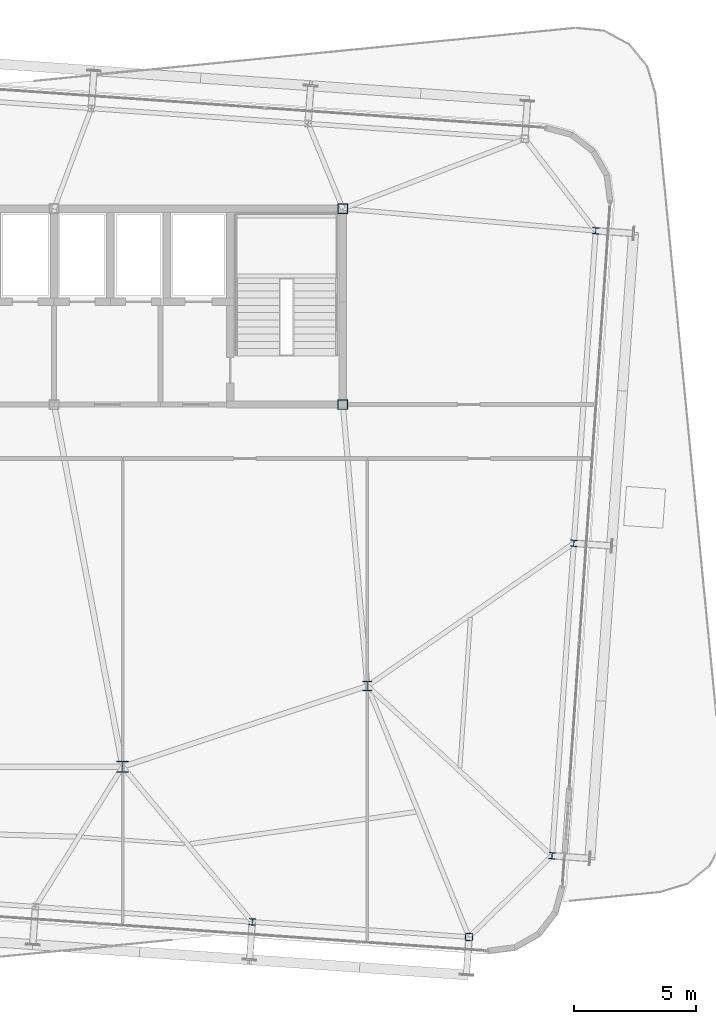
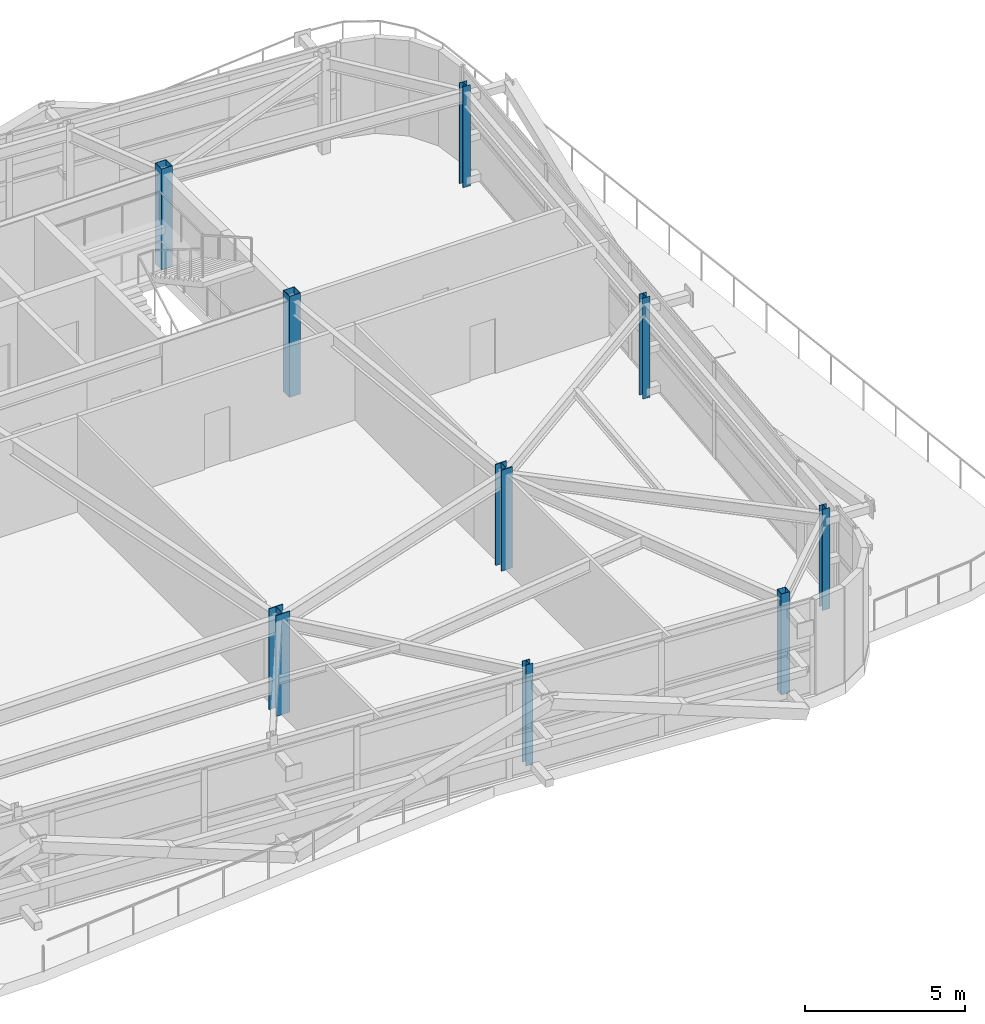
# One storey, part 3 of 36: 9 columns.
"""IFC4 building model written with IfcOpenShell, lengths in metres."""

from ifc_helpers import new_model, si_unit, direction, frame, origin, origin_2d, place, context, subcontext, project, spatial, hollow_rectangle, i_section, extrude, source, transform, mapped, material, material_profile, profile_set, type_object, element, save


model = new_model("IFC4")

# Units and contexts
model_context = context("Model", 3, precision=1e-05, world=origin(), true_north=direction((0.0, 1.0)))
body_context = subcontext(model_context, "Body", "Model", "MODEL_VIEW")
ifc_project = project(units=[si_unit("LENGTHUNIT", "METRE"), si_unit("AREAUNIT", "SQUARE_METRE"), si_unit("VOLUMEUNIT", "CUBIC_METRE"), si_unit("PLANEANGLEUNIT", "RADIAN"), si_unit("MASSUNIT", "GRAM", prefix="KILO")], contexts=[model_context])

# Site, building, storey
site_placement = place(None, origin())
site = spatial("IfcSite", under=ifc_project, at=site_placement, CompositionType="ELEMENT")
building_placement = place(site_placement, origin())
building = spatial("IfcBuilding", under=site, at=building_placement, Name="Taldren Reach Tower", CompositionType="ELEMENT")
storey_placement = place(building_placement, frame((0.0, 0.0, 116.550048828125)))
storey = spatial("IfcBuildingStorey", under=building, at=storey_placement, Name="L35", CompositionType="ELEMENT", Elevation=116.550048828125)

# Columns
ifc_material_1 = material(Name="Steel Gr 450 (C450L0)", Category="steel")
ifc_material_profile_1 = material_profile(ifc_material_1, hollow_rectangle(XDim=0.39990234375, YDim=0.39990234375, WallThickness=0.01611328125, at=origin_2d()), Name="400x400x16.0SHS")
ifc_profile_set_1 = profile_set([ifc_material_profile_1], Name="Steel Gr 450 (C450L0)")
column_type_1 = type_object("IfcColumnType", Name="COL-SHS400", PredefinedType="COLUMN", material=ifc_profile_set_1)
shared_shape_1 = source(origin(), body_context, "Body", "SweptSolid", [
    extrude(hollow_rectangle(XDim=0.39990234375, YDim=0.39990234375, WallThickness=0.01611328125, at=origin_2d()), origin(), (0.0, 0.0, 1.0), 3.849853515625),
])
for number, where, z_axis, x_axis, name in (
    (1, (51.0, 24.0, 0.0), (0.0, 0.0, 1.0), (1.0, 0.0, 0.0), "Mega column MC-C4 L35"),
    (2, (51.0, 32.0, 0.0), (0.0, 0.0, 1.0), (1.0, 0.0, 0.0), "Mega column MC-C8 L35"),
):
    element("IfcColumn", number, at=place(storey_placement, frame(where, z_axis=z_axis, x_axis=x_axis)), inside=storey, type_object=column_type_1, Name=name, PredefinedType="COLUMN", context=body_context, shape_type="MappedRepresentation", body=[
        mapped(shared_shape_1, transform((0.0, 0.0, 0.0), scale=1.0)),
    ])
ifc_material_2 = material(Name="Steel Gr 350 (350PLUS)", Category="steel")
ifc_material_profile_2 = material_profile(ifc_material_2, i_section(OverallWidth=0.5, OverallDepth=0.464111328125, WebThickness=0.02197265625, FlangeThickness=0.033935546875, at=origin_2d()), Name="500WC340")
ifc_profile_set_2 = profile_set([ifc_material_profile_2], Name="Steel Gr 350 (350PLUS)")
column_type_2 = type_object("IfcColumnType", Name="COL-WC500B", PredefinedType="COLUMN", material=ifc_profile_set_2)
shared_shape_2 = source(origin(), body_context, "Body", "SweptSolid", [
    extrude(i_section(OverallWidth=0.5, OverallDepth=0.464111328125, WebThickness=0.02197265625, FlangeThickness=0.033935546875, at=origin_2d()), origin(), (0.0, 0.0, 1.0), 3.849853515625),
])
column_1_placement = place(storey_placement, frame((42.0, 9.199951171875, 0.0), z_axis=(0.0, 0.0, 1.0), x_axis=(1.0, 0.0, 0.0)))
element("IfcColumn", 3, at=column_1_placement, inside=storey, type_object=column_type_2, Name="Mega column MC-PJE L35", PredefinedType="COLUMN", context=body_context, shape_type="MappedRepresentation", body=[
    mapped(shared_shape_2, transform((0.0, 0.0, 0.0), scale=1.0)),
])
ifc_material_profile_3 = material_profile(ifc_material_2, i_section(OverallWidth=0.39990234375, OverallDepth=0.39599609375, WebThickness=0.02197265625, FlangeThickness=0.033935546875, at=origin_2d()), Name="400WC270")
ifc_profile_set_3 = profile_set([ifc_material_profile_3], Name="Steel Gr 350 (350PLUS)")
column_type_3 = type_object("IfcColumnType", Name="COL-WC400", PredefinedType="COLUMN", material=ifc_profile_set_3)
shared_shape_3 = source(origin(), body_context, "Body", "SweptSolid", [
    extrude(i_section(OverallWidth=0.39990234375, OverallDepth=0.39599609375, WebThickness=0.02197265625, FlangeThickness=0.033935546875, at=origin_2d()), origin(), (0.0, 0.0, 1.0), 3.849853515625),
])
column_2_placement = place(storey_placement, frame((52.0, 12.5, 0.0), z_axis=(0.0, 0.0, 1.0), x_axis=(1.0, 0.0, 0.0)))
element("IfcColumn", 4, at=column_2_placement, inside=storey, type_object=column_type_3, Name="Mega column MC-SE L35", PredefinedType="COLUMN", context=body_context, shape_type="MappedRepresentation", body=[
    mapped(shared_shape_3, transform((0.0, 0.0, 0.0), scale=1.0)),
])
ifc_material_profile_4 = material_profile(ifc_material_1, hollow_rectangle(XDim=0.300048828125, YDim=0.300048828125, WallThickness=0.012451171875, at=origin_2d()), Name="300x300x12.5SHS")
ifc_profile_set_4 = profile_set([ifc_material_profile_4], Name="Steel Gr 450 (C450L0)")
column_type_4 = type_object("IfcColumnType", Name="COL-SHS300", PredefinedType="COLUMN", material=ifc_profile_set_4)
shared_shape_4 = source(origin(), body_context, "Body", "SweptSolid", [
    extrude(hollow_rectangle(XDim=0.300048828125, YDim=0.300048828125, WallThickness=0.012451171875, at=origin_2d()), origin(), (0.0, 0.0, 1.0), 3.849853515625),
])
column_3_placement = place(storey_placement, frame((56.155517578125, 2.2412109375, 0.0), z_axis=(0.0, 0.0, 1.0), x_axis=(0.99756405026, -0.069756473744, 0.0)))
element("IfcColumn", 5, at=column_3_placement, inside=storey, type_object=column_type_4, Name="Block B3 perimeter column S6 L35", PredefinedType="COLUMN", context=body_context, shape_type="MappedRepresentation", body=[
    mapped(shared_shape_4, transform((0.0, 0.0, 0.0), scale=1.0)),
])
ifc_material_profile_5 = material_profile(ifc_material_2, i_section(OverallWidth=0.256103515625, OverallDepth=0.260009765625, WebThickness=0.010498046875, FlangeThickness=0.017333984375, at=origin_2d()), Name="250UC89.5")
ifc_profile_set_5 = profile_set([ifc_material_profile_5], Name="Steel Gr 350 (350PLUS)")
column_type_5 = type_object("IfcColumnType", Name="COL-UC250", PredefinedType="COLUMN", material=ifc_profile_set_5)
shared_shape_5 = source(origin(), body_context, "Body", "SweptSolid", [
    extrude(i_section(OverallWidth=0.256103515625, OverallDepth=0.260009765625, WebThickness=0.010498046875, FlangeThickness=0.017333984375, at=origin_2d()), origin(), (0.0, 0.0, 1.0), 3.849853515625),
])
for number, where, z_axis, x_axis, name in (
    (6, (47.297119140625, 2.860595703125, 0.0), (0.0, 0.0, 1.0), (0.99756405026, -0.069756473744, 0.0), "Block B3 perimeter column S5 L35"),
    (7, (59.54541015625, 5.562744140625, 0.0), (0.0, 0.0, 1.0), (0.99756405026, -0.069756473744, 0.0), "Block B3 perimeter column E1 L35"),
    (8, (60.438232421875, 18.331787109375, 0.0), (0.0, 0.0, 1.0), (0.99756405026, -0.069756473744, 0.0), "Block B3 perimeter column E2 L35"),
    (9, (61.3310546875, 31.1005859375, 0.0), (0.0, 0.0, 1.0), (0.99756405026, -0.069756473744, 0.0), "Block B3 perimeter column E3 L35"),
):
    element("IfcColumn", number, at=place(storey_placement, frame(where, z_axis=z_axis, x_axis=x_axis)), inside=storey, type_object=column_type_5, Name=name, PredefinedType="COLUMN", context=body_context, shape_type="MappedRepresentation", body=[
        mapped(shared_shape_5, transform((0.0, 0.0, 0.0), scale=1.0)),
    ])

save(model, "model.ifc")
